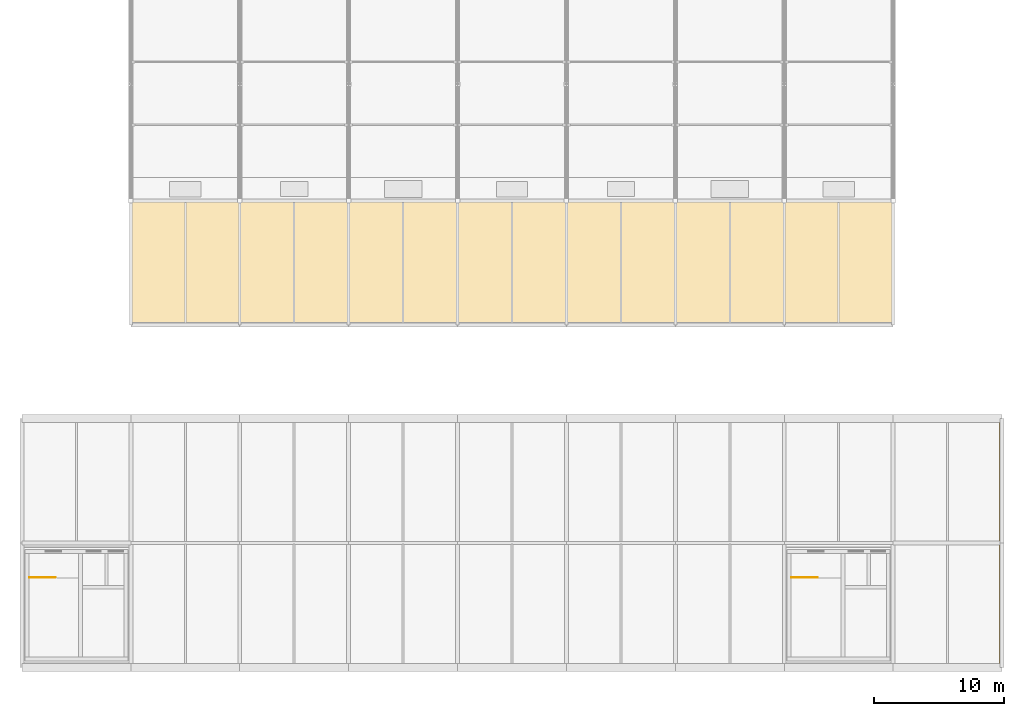
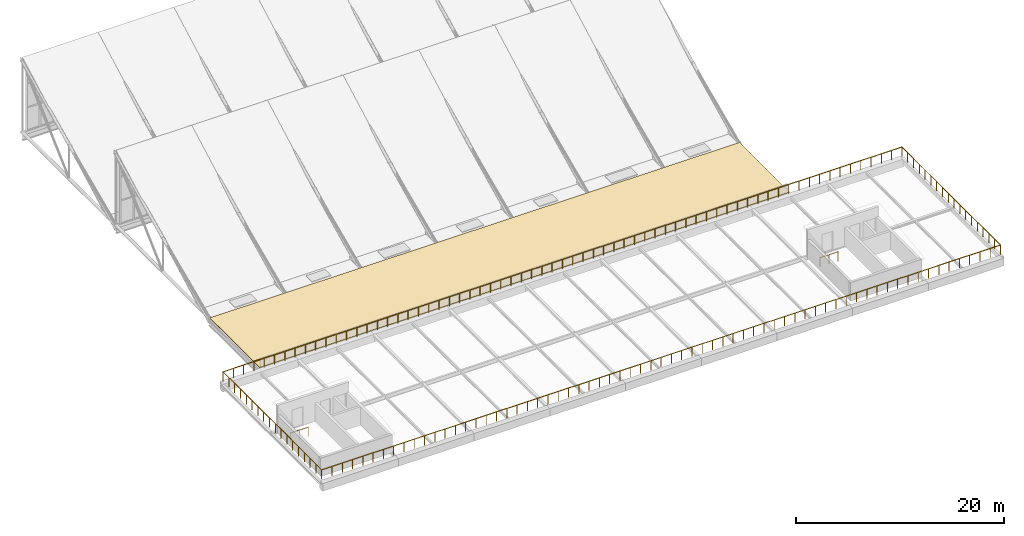
# One storey, part 38 of 38: 3 railings, 1 covering.
"""IFC4 building model written with IfcOpenShell, lengths in metres."""

from ifc_helpers import new_model, si_unit, direction, frame, origin, origin_2d, place, context, subcontext, project, spatial, polyline, circle, outline, extrude, material, layer, layer_set, type_object, element, save


model = new_model("IFC4")

# Units and contexts
model_context = context("Model", 3, precision=1e-05, world=origin(), true_north=direction((0.0, 1.0)))
body_context = subcontext(model_context, "Body", "Model", "MODEL_VIEW")
ifc_project = project(units=[si_unit("LENGTHUNIT", "METRE"), si_unit("AREAUNIT", "SQUARE_METRE"), si_unit("VOLUMEUNIT", "CUBIC_METRE"), si_unit("PLANEANGLEUNIT", "RADIAN"), si_unit("MASSUNIT", "GRAM", prefix="KILO")], contexts=[model_context])

# Site, building, storey
site_placement = place(None, origin())
site = spatial("IfcSite", under=ifc_project, at=site_placement, CompositionType="ELEMENT")
building_placement = place(site_placement, origin())
building = spatial("IfcBuilding", under=site, at=building_placement, Name="Veltarok Museum of Natural Sciences", CompositionType="ELEMENT")
storey_placement = place(building_placement, frame((0.0, 0.0, 31.199951171875)))
storey = spatial("IfcBuildingStorey", under=building, at=storey_placement, Name="RF", CompositionType="ELEMENT", Elevation=31.199951171875)

# Covering
ifc_material_1 = material(Name="EPDM waterproofing membrane")
ifc_layer = layer(ifc_material_1, 0.06005859375)
ifc_layer_set = layer_set([ifc_layer], Name="EPDM waterproofing membrane")
covering_type = type_object("IfcCoveringType", Name="EPDM Waterproofing and Acoustic Roof Membrane 60", PredefinedType="ROOFING", material=ifc_layer_set)
covering_placement = place(storey_placement, frame((0.0, 0.0, -5.800048828125)))
element("IfcCovering", 1, at=covering_placement, inside=storey, type_object=covering_type, Name="Roof Waterproofing RF-V2D", PredefinedType="ROOFING", context=body_context, shape_type="SweptSolid", body=[
    extrude(outline(polyline([(40.0, 26.39990234375), (40.0, 35.97998046875), (98.800048828125, 35.97998046875), (98.800048828125, 26.39990234375), (40.0, 26.39990234375)])), origin(), (0.0, 0.0, 1.0), 0.06005859375),
])

# Railings
ifc_material_2 = material(Name="Steel S355J2", Category="steel")
railing_type_1 = type_object("IfcRailingType", Name="Interior Atrium and Stairwell Guardrail 1100", PredefinedType="GUARDRAIL", material=ifc_material_2)
for number, where, name in (
    (2, (32.169921875, 6.949951171875, 0.0), "Top Stairwell Guard ST-01 RF"),
    (3, (90.969970703125, 6.949951171875, 0.0), "Top Stairwell Guard ST-02 RF"),
):
    element("IfcRailing", number, at=place(storey_placement, frame(where)), inside=storey, type_object=railing_type_1, Name=name, PredefinedType="GUARDRAIL", context=body_context, shape_type="SweptSolid", body=[
        extrude(circle(Radius=0.02392578125, at=origin_2d()), frame((0.0, 0.0, 1.076171875), z_axis=(1.0, 0.0, 0.0), x_axis=(0.0, 1.0, 0.0)), (0.0, 0.0, 1.0), 2.0),
        extrude(circle(Radius=0.02099609375, at=origin_2d()), origin(), (0.0, 0.0, 1.0), 1.052001953125),
        extrude(circle(Radius=0.02099609375, at=origin_2d()), frame((1.0, 0.0, 0.0)), (0.0, 0.0, 1.0), 1.052001953125),
        extrude(circle(Radius=0.02099609375, at=origin_2d()), frame((2.0, 0.0, 0.0)), (0.0, 0.0, 1.0), 1.052001953125),
    ])
railing_type_2 = type_object("IfcRailingType", Name="Outdoor Terrace Steel and Laminated Glass Guardrail 1100", PredefinedType="GUARDRAIL", material=ifc_material_2)
railing_placement = place(storey_placement, frame((31.719970703125, 0.1201171875, 0.0)))
element("IfcRailing", 4, at=railing_placement, inside=storey, type_object=railing_type_2, Name="Terrace Guardrail TER-RF-S1", PredefinedType="GUARDRAIL", context=body_context, shape_type="SweptSolid", body=[
    extrude(circle(Radius=0.02490234375, at=origin_2d()), frame((0.0, 0.0, 1.0751953125), z_axis=(1.0, 0.0, 0.0), x_axis=(0.0, 1.0, 0.0)), (0.0, 0.0, 1.0), 75.3349609375),
    extrude(circle(Radius=0.02490234375, at=origin_2d()), frame((75.3349609375, 0.0, 1.0751953125), z_axis=(0.0, 1.0, 0.0), x_axis=(-1.0, 0.0, 0.0)), (0.0, 0.0, 1.0), 18.9599609375),
    extrude(circle(Radius=0.02490234375, at=origin_2d()), frame((75.3349609375, 18.9599609375, 1.0751953125), z_axis=(-1.0, 0.0, 0.0), x_axis=(0.0, -1.0, 0.0)), (0.0, 0.0, 1.0), 75.3349609375),
    extrude(circle(Radius=0.02490234375, at=origin_2d()), frame((0.0, 18.9599609375, 1.0751953125), z_axis=(0.0, -1.0, 0.0), x_axis=(1.0, 0.0, 0.0)), (0.0, 0.0, 1.0), 18.9599609375),
    extrude(circle(Radius=0.02099609375, at=origin_2d()), origin(), (0.0, 0.0, 1.0), 1.050048828125),
    extrude(circle(Radius=0.02099609375, at=origin_2d()), frame((1.141357421875, 0.0, 0.0)), (0.0, 0.0, 1.0), 1.050048828125),
    extrude(circle(Radius=0.02099609375, at=origin_2d()), frame((2.282958984375, 0.0, 0.0)), (0.0, 0.0, 1.0), 1.050048828125),
    extrude(circle(Radius=0.02099609375, at=origin_2d()), frame((3.42431640625, 0.0, 0.0)), (0.0, 0.0, 1.0), 1.050048828125),
    extrude(circle(Radius=0.02099609375, at=origin_2d()), frame((4.565673828125, 0.0, 0.0)), (0.0, 0.0, 1.0), 1.050048828125),
    extrude(circle(Radius=0.02099609375, at=origin_2d()), frame((5.707275390625, 0.0, 0.0)), (0.0, 0.0, 1.0), 1.050048828125),
    extrude(circle(Radius=0.02099609375, at=origin_2d()), frame((6.8486328125, 0.0, 0.0)), (0.0, 0.0, 1.0), 1.050048828125),
    extrude(circle(Radius=0.02099609375, at=origin_2d()), frame((7.989990234375, 0.0, 0.0)), (0.0, 0.0, 1.0), 1.050048828125),
    extrude(circle(Radius=0.02099609375, at=origin_2d()), frame((9.131591796875, 0.0, 0.0)), (0.0, 0.0, 1.0), 1.050048828125),
    extrude(circle(Radius=0.02099609375, at=origin_2d()), frame((10.27294921875, 0.0, 0.0)), (0.0, 0.0, 1.0), 1.050048828125),
    extrude(circle(Radius=0.02099609375, at=origin_2d()), frame((11.414306640625, 0.0, 0.0)), (0.0, 0.0, 1.0), 1.050048828125),
    extrude(circle(Radius=0.02099609375, at=origin_2d()), frame((12.555908203125, 0.0, 0.0)), (0.0, 0.0, 1.0), 1.050048828125),
    extrude(circle(Radius=0.02099609375, at=origin_2d()), frame((13.697265625, 0.0, 0.0)), (0.0, 0.0, 1.0), 1.050048828125),
    extrude(circle(Radius=0.02099609375, at=origin_2d()), frame((14.838623046875, 0.0, 0.0)), (0.0, 0.0, 1.0), 1.050048828125),
    extrude(circle(Radius=0.02099609375, at=origin_2d()), frame((15.980224609375, 0.0, 0.0)), (0.0, 0.0, 1.0), 1.050048828125),
    extrude(circle(Radius=0.02099609375, at=origin_2d()), frame((17.12158203125, 0.0, 0.0)), (0.0, 0.0, 1.0), 1.050048828125),
    extrude(circle(Radius=0.02099609375, at=origin_2d()), frame((18.262939453125, 0.0, 0.0)), (0.0, 0.0, 1.0), 1.050048828125),
    extrude(circle(Radius=0.02099609375, at=origin_2d()), frame((19.404541015625, 0.0, 0.0)), (0.0, 0.0, 1.0), 1.050048828125),
    extrude(circle(Radius=0.02099609375, at=origin_2d()), frame((20.5458984375, 0.0, 0.0)), (0.0, 0.0, 1.0), 1.050048828125),
    extrude(circle(Radius=0.02099609375, at=origin_2d()), frame((21.687255859375, 0.0, 0.0)), (0.0, 0.0, 1.0), 1.050048828125),
    extrude(circle(Radius=0.02099609375, at=origin_2d()), frame((22.828857421875, 0.0, 0.0)), (0.0, 0.0, 1.0), 1.050048828125),
    extrude(circle(Radius=0.02099609375, at=origin_2d()), frame((23.97021484375, 0.0, 0.0)), (0.0, 0.0, 1.0), 1.050048828125),
    extrude(circle(Radius=0.02099609375, at=origin_2d()), frame((25.111572265625, 0.0, 0.0)), (0.0, 0.0, 1.0), 1.050048828125),
    extrude(circle(Radius=0.02099609375, at=origin_2d()), frame((26.253173828125, 0.0, 0.0)), (0.0, 0.0, 1.0), 1.050048828125),
    extrude(circle(Radius=0.02099609375, at=origin_2d()), frame((27.39453125, 0.0, 0.0)), (0.0, 0.0, 1.0), 1.050048828125),
    extrude(circle(Radius=0.02099609375, at=origin_2d()), frame((28.535888671875, 0.0, 0.0)), (0.0, 0.0, 1.0), 1.050048828125),
    extrude(circle(Radius=0.02099609375, at=origin_2d()), frame((29.677490234375, 0.0, 0.0)), (0.0, 0.0, 1.0), 1.050048828125),
    extrude(circle(Radius=0.02099609375, at=origin_2d()), frame((30.81884765625, 0.0, 0.0)), (0.0, 0.0, 1.0), 1.050048828125),
    extrude(circle(Radius=0.02099609375, at=origin_2d()), frame((31.960205078125, 0.0, 0.0)), (0.0, 0.0, 1.0), 1.050048828125),
    extrude(circle(Radius=0.02099609375, at=origin_2d()), frame((33.101806640625, 0.0, 0.0)), (0.0, 0.0, 1.0), 1.050048828125),
    extrude(circle(Radius=0.02099609375, at=origin_2d()), frame((34.2431640625, 0.0, 0.0)), (0.0, 0.0, 1.0), 1.050048828125),
    extrude(circle(Radius=0.02099609375, at=origin_2d()), frame((35.384521484375, 0.0, 0.0)), (0.0, 0.0, 1.0), 1.050048828125),
    extrude(circle(Radius=0.02099609375, at=origin_2d()), frame((36.526123046875, 0.0, 0.0)), (0.0, 0.0, 1.0), 1.050048828125),
    extrude(circle(Radius=0.02099609375, at=origin_2d()), frame((37.66748046875, 0.0, 0.0)), (0.0, 0.0, 1.0), 1.050048828125),
    extrude(circle(Radius=0.02099609375, at=origin_2d()), frame((38.808837890625, 0.0, 0.0)), (0.0, 0.0, 1.0), 1.050048828125),
    extrude(circle(Radius=0.02099609375, at=origin_2d()), frame((39.950439453125, 0.0, 0.0)), (0.0, 0.0, 1.0), 1.050048828125),
    extrude(circle(Radius=0.02099609375, at=origin_2d()), frame((41.091796875, 0.0, 0.0)), (0.0, 0.0, 1.0), 1.050048828125),
    extrude(circle(Radius=0.02099609375, at=origin_2d()), frame((42.233154296875, 0.0, 0.0)), (0.0, 0.0, 1.0), 1.050048828125),
    extrude(circle(Radius=0.02099609375, at=origin_2d()), frame((43.374755859375, 0.0, 0.0)), (0.0, 0.0, 1.0), 1.050048828125),
    extrude(circle(Radius=0.02099609375, at=origin_2d()), frame((44.51611328125, 0.0, 0.0)), (0.0, 0.0, 1.0), 1.050048828125),
    extrude(circle(Radius=0.02099609375, at=origin_2d()), frame((45.657470703125, 0.0, 0.0)), (0.0, 0.0, 1.0), 1.050048828125),
    extrude(circle(Radius=0.02099609375, at=origin_2d()), frame((46.799072265625, 0.0, 0.0)), (0.0, 0.0, 1.0), 1.050048828125),
    extrude(circle(Radius=0.02099609375, at=origin_2d()), frame((47.9404296875, 0.0, 0.0)), (0.0, 0.0, 1.0), 1.050048828125),
    extrude(circle(Radius=0.02099609375, at=origin_2d()), frame((49.081787109375, 0.0, 0.0)), (0.0, 0.0, 1.0), 1.050048828125),
    extrude(circle(Radius=0.02099609375, at=origin_2d()), frame((50.223388671875, 0.0, 0.0)), (0.0, 0.0, 1.0), 1.050048828125),
    extrude(circle(Radius=0.02099609375, at=origin_2d()), frame((51.36474609375, 0.0, 0.0)), (0.0, 0.0, 1.0), 1.050048828125),
    extrude(circle(Radius=0.02099609375, at=origin_2d()), frame((52.506103515625, 0.0, 0.0)), (0.0, 0.0, 1.0), 1.050048828125),
    extrude(circle(Radius=0.02099609375, at=origin_2d()), frame((53.647705078125, 0.0, 0.0)), (0.0, 0.0, 1.0), 1.050048828125),
    extrude(circle(Radius=0.02099609375, at=origin_2d()), frame((54.7890625, 0.0, 0.0)), (0.0, 0.0, 1.0), 1.050048828125),
    extrude(circle(Radius=0.02099609375, at=origin_2d()), frame((55.930419921875, 0.0, 0.0)), (0.0, 0.0, 1.0), 1.050048828125),
    extrude(circle(Radius=0.02099609375, at=origin_2d()), frame((57.072021484375, 0.0, 0.0)), (0.0, 0.0, 1.0), 1.050048828125),
    extrude(circle(Radius=0.02099609375, at=origin_2d()), frame((58.21337890625, 0.0, 0.0)), (0.0, 0.0, 1.0), 1.050048828125),
    extrude(circle(Radius=0.02099609375, at=origin_2d()), frame((59.354736328125, 0.0, 0.0)), (0.0, 0.0, 1.0), 1.050048828125),
    extrude(circle(Radius=0.02099609375, at=origin_2d()), frame((60.496337890625, 0.0, 0.0)), (0.0, 0.0, 1.0), 1.050048828125),
    extrude(circle(Radius=0.02099609375, at=origin_2d()), frame((61.6376953125, 0.0, 0.0)), (0.0, 0.0, 1.0), 1.050048828125),
    extrude(circle(Radius=0.02099609375, at=origin_2d()), frame((62.779052734375, 0.0, 0.0)), (0.0, 0.0, 1.0), 1.050048828125),
    extrude(circle(Radius=0.02099609375, at=origin_2d()), frame((63.920654296875, 0.0, 0.0)), (0.0, 0.0, 1.0), 1.050048828125),
    extrude(circle(Radius=0.02099609375, at=origin_2d()), frame((65.06201171875, 0.0, 0.0)), (0.0, 0.0, 1.0), 1.050048828125),
    extrude(circle(Radius=0.02099609375, at=origin_2d()), frame((66.203369140625, 0.0, 0.0)), (0.0, 0.0, 1.0), 1.050048828125),
    extrude(circle(Radius=0.02099609375, at=origin_2d()), frame((67.344970703125, 0.0, 0.0)), (0.0, 0.0, 1.0), 1.050048828125),
    extrude(circle(Radius=0.02099609375, at=origin_2d()), frame((68.486328125, 0.0, 0.0)), (0.0, 0.0, 1.0), 1.050048828125),
    extrude(circle(Radius=0.02099609375, at=origin_2d()), frame((69.627685546875, 0.0, 0.0)), (0.0, 0.0, 1.0), 1.050048828125),
    extrude(circle(Radius=0.02099609375, at=origin_2d()), frame((70.769287109375, 0.0, 0.0)), (0.0, 0.0, 1.0), 1.050048828125),
    extrude(circle(Radius=0.02099609375, at=origin_2d()), frame((71.91064453125, 0.0, 0.0)), (0.0, 0.0, 1.0), 1.050048828125),
    extrude(circle(Radius=0.02099609375, at=origin_2d()), frame((73.052001953125, 0.0, 0.0)), (0.0, 0.0, 1.0), 1.050048828125),
    extrude(circle(Radius=0.02099609375, at=origin_2d()), frame((74.193603515625, 0.0, 0.0)), (0.0, 0.0, 1.0), 1.050048828125),
    extrude(circle(Radius=0.02099609375, at=origin_2d()), frame((75.3349609375, 0.0, 0.0)), (0.0, 0.0, 1.0), 1.050048828125),
    extrude(circle(Radius=0.02099609375, at=origin_2d()), frame((75.3349609375, 1.115234375, 0.0)), (0.0, 0.0, 1.0), 1.050048828125),
    extrude(circle(Radius=0.02099609375, at=origin_2d()), frame((75.3349609375, 2.23046875, 0.0)), (0.0, 0.0, 1.0), 1.050048828125),
    extrude(circle(Radius=0.02099609375, at=origin_2d()), frame((75.3349609375, 3.345947265625, 0.0)), (0.0, 0.0, 1.0), 1.050048828125),
    extrude(circle(Radius=0.02099609375, at=origin_2d()), frame((75.3349609375, 4.461181640625, 0.0)), (0.0, 0.0, 1.0), 1.050048828125),
    extrude(circle(Radius=0.02099609375, at=origin_2d()), frame((75.3349609375, 5.576416015625, 0.0)), (0.0, 0.0, 1.0), 1.050048828125),
    extrude(circle(Radius=0.02099609375, at=origin_2d()), frame((75.3349609375, 6.691650390625, 0.0)), (0.0, 0.0, 1.0), 1.050048828125),
    extrude(circle(Radius=0.02099609375, at=origin_2d()), frame((75.3349609375, 7.80712890625, 0.0)), (0.0, 0.0, 1.0), 1.050048828125),
    extrude(circle(Radius=0.02099609375, at=origin_2d()), frame((75.3349609375, 8.92236328125, 0.0)), (0.0, 0.0, 1.0), 1.050048828125),
    extrude(circle(Radius=0.02099609375, at=origin_2d()), frame((75.3349609375, 10.03759765625, 0.0)), (0.0, 0.0, 1.0), 1.050048828125),
    extrude(circle(Radius=0.02099609375, at=origin_2d()), frame((75.3349609375, 11.15283203125, 0.0)), (0.0, 0.0, 1.0), 1.050048828125),
    extrude(circle(Radius=0.02099609375, at=origin_2d()), frame((75.3349609375, 12.268310546875, 0.0)), (0.0, 0.0, 1.0), 1.050048828125),
    extrude(circle(Radius=0.02099609375, at=origin_2d()), frame((75.3349609375, 13.383544921875, 0.0)), (0.0, 0.0, 1.0), 1.050048828125),
    extrude(circle(Radius=0.02099609375, at=origin_2d()), frame((75.3349609375, 14.498779296875, 0.0)), (0.0, 0.0, 1.0), 1.050048828125),
    extrude(circle(Radius=0.02099609375, at=origin_2d()), frame((75.3349609375, 15.614013671875, 0.0)), (0.0, 0.0, 1.0), 1.050048828125),
    extrude(circle(Radius=0.02099609375, at=origin_2d()), frame((75.3349609375, 16.7294921875, 0.0)), (0.0, 0.0, 1.0), 1.050048828125),
    extrude(circle(Radius=0.02099609375, at=origin_2d()), frame((75.3349609375, 17.8447265625, 0.0)), (0.0, 0.0, 1.0), 1.050048828125),
    extrude(circle(Radius=0.02099609375, at=origin_2d()), frame((75.3349609375, 18.9599609375, 0.0)), (0.0, 0.0, 1.0), 1.050048828125),
    extrude(circle(Radius=0.02099609375, at=origin_2d()), frame((74.193603515625, 18.9599609375, 0.0)), (0.0, 0.0, 1.0), 1.050048828125),
    extrude(circle(Radius=0.02099609375, at=origin_2d()), frame((73.052001953125, 18.9599609375, 0.0)), (0.0, 0.0, 1.0), 1.050048828125),
    extrude(circle(Radius=0.02099609375, at=origin_2d()), frame((71.91064453125, 18.9599609375, 0.0)), (0.0, 0.0, 1.0), 1.050048828125),
    extrude(circle(Radius=0.02099609375, at=origin_2d()), frame((70.769287109375, 18.9599609375, 0.0)), (0.0, 0.0, 1.0), 1.050048828125),
    extrude(circle(Radius=0.02099609375, at=origin_2d()), frame((69.627685546875, 18.9599609375, 0.0)), (0.0, 0.0, 1.0), 1.050048828125),
    extrude(circle(Radius=0.02099609375, at=origin_2d()), frame((68.486328125, 18.9599609375, 0.0)), (0.0, 0.0, 1.0), 1.050048828125),
    extrude(circle(Radius=0.02099609375, at=origin_2d()), frame((67.344970703125, 18.9599609375, 0.0)), (0.0, 0.0, 1.0), 1.050048828125),
    extrude(circle(Radius=0.02099609375, at=origin_2d()), frame((66.203369140625, 18.9599609375, 0.0)), (0.0, 0.0, 1.0), 1.050048828125),
    extrude(circle(Radius=0.02099609375, at=origin_2d()), frame((65.06201171875, 18.9599609375, 0.0)), (0.0, 0.0, 1.0), 1.050048828125),
    extrude(circle(Radius=0.02099609375, at=origin_2d()), frame((63.920654296875, 18.9599609375, 0.0)), (0.0, 0.0, 1.0), 1.050048828125),
    extrude(circle(Radius=0.02099609375, at=origin_2d()), frame((62.779052734375, 18.9599609375, 0.0)), (0.0, 0.0, 1.0), 1.050048828125),
    extrude(circle(Radius=0.02099609375, at=origin_2d()), frame((61.6376953125, 18.9599609375, 0.0)), (0.0, 0.0, 1.0), 1.050048828125),
    extrude(circle(Radius=0.02099609375, at=origin_2d()), frame((60.496337890625, 18.9599609375, 0.0)), (0.0, 0.0, 1.0), 1.050048828125),
    extrude(circle(Radius=0.02099609375, at=origin_2d()), frame((59.354736328125, 18.9599609375, 0.0)), (0.0, 0.0, 1.0), 1.050048828125),
    extrude(circle(Radius=0.02099609375, at=origin_2d()), frame((58.21337890625, 18.9599609375, 0.0)), (0.0, 0.0, 1.0), 1.050048828125),
    extrude(circle(Radius=0.02099609375, at=origin_2d()), frame((57.072021484375, 18.9599609375, 0.0)), (0.0, 0.0, 1.0), 1.050048828125),
    extrude(circle(Radius=0.02099609375, at=origin_2d()), frame((55.930419921875, 18.9599609375, 0.0)), (0.0, 0.0, 1.0), 1.050048828125),
    extrude(circle(Radius=0.02099609375, at=origin_2d()), frame((54.7890625, 18.9599609375, 0.0)), (0.0, 0.0, 1.0), 1.050048828125),
    extrude(circle(Radius=0.02099609375, at=origin_2d()), frame((53.647705078125, 18.9599609375, 0.0)), (0.0, 0.0, 1.0), 1.050048828125),
    extrude(circle(Radius=0.02099609375, at=origin_2d()), frame((52.506103515625, 18.9599609375, 0.0)), (0.0, 0.0, 1.0), 1.050048828125),
    extrude(circle(Radius=0.02099609375, at=origin_2d()), frame((51.36474609375, 18.9599609375, 0.0)), (0.0, 0.0, 1.0), 1.050048828125),
    extrude(circle(Radius=0.02099609375, at=origin_2d()), frame((50.223388671875, 18.9599609375, 0.0)), (0.0, 0.0, 1.0), 1.050048828125),
    extrude(circle(Radius=0.02099609375, at=origin_2d()), frame((49.081787109375, 18.9599609375, 0.0)), (0.0, 0.0, 1.0), 1.050048828125),
    extrude(circle(Radius=0.02099609375, at=origin_2d()), frame((47.9404296875, 18.9599609375, 0.0)), (0.0, 0.0, 1.0), 1.050048828125),
    extrude(circle(Radius=0.02099609375, at=origin_2d()), frame((46.799072265625, 18.9599609375, 0.0)), (0.0, 0.0, 1.0), 1.050048828125),
    extrude(circle(Radius=0.02099609375, at=origin_2d()), frame((45.657470703125, 18.9599609375, 0.0)), (0.0, 0.0, 1.0), 1.050048828125),
    extrude(circle(Radius=0.02099609375, at=origin_2d()), frame((44.51611328125, 18.9599609375, 0.0)), (0.0, 0.0, 1.0), 1.050048828125),
    extrude(circle(Radius=0.02099609375, at=origin_2d()), frame((43.374755859375, 18.9599609375, 0.0)), (0.0, 0.0, 1.0), 1.050048828125),
    extrude(circle(Radius=0.02099609375, at=origin_2d()), frame((42.233154296875, 18.9599609375, 0.0)), (0.0, 0.0, 1.0), 1.050048828125),
    extrude(circle(Radius=0.02099609375, at=origin_2d()), frame((41.091796875, 18.9599609375, 0.0)), (0.0, 0.0, 1.0), 1.050048828125),
    extrude(circle(Radius=0.02099609375, at=origin_2d()), frame((39.950439453125, 18.9599609375, 0.0)), (0.0, 0.0, 1.0), 1.050048828125),
    extrude(circle(Radius=0.02099609375, at=origin_2d()), frame((38.808837890625, 18.9599609375, 0.0)), (0.0, 0.0, 1.0), 1.050048828125),
    extrude(circle(Radius=0.02099609375, at=origin_2d()), frame((37.66748046875, 18.9599609375, 0.0)), (0.0, 0.0, 1.0), 1.050048828125),
    extrude(circle(Radius=0.02099609375, at=origin_2d()), frame((36.526123046875, 18.9599609375, 0.0)), (0.0, 0.0, 1.0), 1.050048828125),
    extrude(circle(Radius=0.02099609375, at=origin_2d()), frame((35.384521484375, 18.9599609375, 0.0)), (0.0, 0.0, 1.0), 1.050048828125),
    extrude(circle(Radius=0.02099609375, at=origin_2d()), frame((34.2431640625, 18.9599609375, 0.0)), (0.0, 0.0, 1.0), 1.050048828125),
    extrude(circle(Radius=0.02099609375, at=origin_2d()), frame((33.101806640625, 18.9599609375, 0.0)), (0.0, 0.0, 1.0), 1.050048828125),
    extrude(circle(Radius=0.02099609375, at=origin_2d()), frame((31.960205078125, 18.9599609375, 0.0)), (0.0, 0.0, 1.0), 1.050048828125),
    extrude(circle(Radius=0.02099609375, at=origin_2d()), frame((30.81884765625, 18.9599609375, 0.0)), (0.0, 0.0, 1.0), 1.050048828125),
    extrude(circle(Radius=0.02099609375, at=origin_2d()), frame((29.677490234375, 18.9599609375, 0.0)), (0.0, 0.0, 1.0), 1.050048828125),
    extrude(circle(Radius=0.02099609375, at=origin_2d()), frame((28.535888671875, 18.9599609375, 0.0)), (0.0, 0.0, 1.0), 1.050048828125),
    extrude(circle(Radius=0.02099609375, at=origin_2d()), frame((27.39453125, 18.9599609375, 0.0)), (0.0, 0.0, 1.0), 1.050048828125),
    extrude(circle(Radius=0.02099609375, at=origin_2d()), frame((26.253173828125, 18.9599609375, 0.0)), (0.0, 0.0, 1.0), 1.050048828125),
    extrude(circle(Radius=0.02099609375, at=origin_2d()), frame((25.111572265625, 18.9599609375, 0.0)), (0.0, 0.0, 1.0), 1.050048828125),
    extrude(circle(Radius=0.02099609375, at=origin_2d()), frame((23.97021484375, 18.9599609375, 0.0)), (0.0, 0.0, 1.0), 1.050048828125),
    extrude(circle(Radius=0.02099609375, at=origin_2d()), frame((22.828857421875, 18.9599609375, 0.0)), (0.0, 0.0, 1.0), 1.050048828125),
    extrude(circle(Radius=0.02099609375, at=origin_2d()), frame((21.687255859375, 18.9599609375, 0.0)), (0.0, 0.0, 1.0), 1.050048828125),
    extrude(circle(Radius=0.02099609375, at=origin_2d()), frame((20.5458984375, 18.9599609375, 0.0)), (0.0, 0.0, 1.0), 1.050048828125),
    extrude(circle(Radius=0.02099609375, at=origin_2d()), frame((19.404541015625, 18.9599609375, 0.0)), (0.0, 0.0, 1.0), 1.050048828125),
    extrude(circle(Radius=0.02099609375, at=origin_2d()), frame((18.262939453125, 18.9599609375, 0.0)), (0.0, 0.0, 1.0), 1.050048828125),
    extrude(circle(Radius=0.02099609375, at=origin_2d()), frame((17.12158203125, 18.9599609375, 0.0)), (0.0, 0.0, 1.0), 1.050048828125),
    extrude(circle(Radius=0.02099609375, at=origin_2d()), frame((15.980224609375, 18.9599609375, 0.0)), (0.0, 0.0, 1.0), 1.050048828125),
    extrude(circle(Radius=0.02099609375, at=origin_2d()), frame((14.838623046875, 18.9599609375, 0.0)), (0.0, 0.0, 1.0), 1.050048828125),
    extrude(circle(Radius=0.02099609375, at=origin_2d()), frame((13.697265625, 18.9599609375, 0.0)), (0.0, 0.0, 1.0), 1.050048828125),
    extrude(circle(Radius=0.02099609375, at=origin_2d()), frame((12.555908203125, 18.9599609375, 0.0)), (0.0, 0.0, 1.0), 1.050048828125),
    extrude(circle(Radius=0.02099609375, at=origin_2d()), frame((11.414306640625, 18.9599609375, 0.0)), (0.0, 0.0, 1.0), 1.050048828125),
    extrude(circle(Radius=0.02099609375, at=origin_2d()), frame((10.27294921875, 18.9599609375, 0.0)), (0.0, 0.0, 1.0), 1.050048828125),
    extrude(circle(Radius=0.02099609375, at=origin_2d()), frame((9.131591796875, 18.9599609375, 0.0)), (0.0, 0.0, 1.0), 1.050048828125),
    extrude(circle(Radius=0.02099609375, at=origin_2d()), frame((7.989990234375, 18.9599609375, 0.0)), (0.0, 0.0, 1.0), 1.050048828125),
    extrude(circle(Radius=0.02099609375, at=origin_2d()), frame((6.8486328125, 18.9599609375, 0.0)), (0.0, 0.0, 1.0), 1.050048828125),
    extrude(circle(Radius=0.02099609375, at=origin_2d()), frame((5.707275390625, 18.9599609375, 0.0)), (0.0, 0.0, 1.0), 1.050048828125),
    extrude(circle(Radius=0.02099609375, at=origin_2d()), frame((4.565673828125, 18.9599609375, 0.0)), (0.0, 0.0, 1.0), 1.050048828125),
    extrude(circle(Radius=0.02099609375, at=origin_2d()), frame((3.42431640625, 18.9599609375, 0.0)), (0.0, 0.0, 1.0), 1.050048828125),
    extrude(circle(Radius=0.02099609375, at=origin_2d()), frame((2.282958984375, 18.9599609375, 0.0)), (0.0, 0.0, 1.0), 1.050048828125),
    extrude(circle(Radius=0.02099609375, at=origin_2d()), frame((1.141357421875, 18.9599609375, 0.0)), (0.0, 0.0, 1.0), 1.050048828125),
    extrude(circle(Radius=0.02099609375, at=origin_2d()), frame((0.0, 18.9599609375, 0.0)), (0.0, 0.0, 1.0), 1.050048828125),
    extrude(circle(Radius=0.02099609375, at=origin_2d()), frame((0.0, 17.8447265625, 0.0)), (0.0, 0.0, 1.0), 1.050048828125),
    extrude(circle(Radius=0.02099609375, at=origin_2d()), frame((0.0, 16.7294921875, 0.0)), (0.0, 0.0, 1.0), 1.050048828125),
    extrude(circle(Radius=0.02099609375, at=origin_2d()), frame((0.0, 15.614013671875, 0.0)), (0.0, 0.0, 1.0), 1.050048828125),
    extrude(circle(Radius=0.02099609375, at=origin_2d()), frame((0.0, 14.498779296875, 0.0)), (0.0, 0.0, 1.0), 1.050048828125),
    extrude(circle(Radius=0.02099609375, at=origin_2d()), frame((0.0, 13.383544921875, 0.0)), (0.0, 0.0, 1.0), 1.050048828125),
    extrude(circle(Radius=0.02099609375, at=origin_2d()), frame((0.0, 12.268310546875, 0.0)), (0.0, 0.0, 1.0), 1.050048828125),
    extrude(circle(Radius=0.02099609375, at=origin_2d()), frame((0.0, 11.15283203125, 0.0)), (0.0, 0.0, 1.0), 1.050048828125),
    extrude(circle(Radius=0.02099609375, at=origin_2d()), frame((0.0, 10.03759765625, 0.0)), (0.0, 0.0, 1.0), 1.050048828125),
    extrude(circle(Radius=0.02099609375, at=origin_2d()), frame((0.0, 8.92236328125, 0.0)), (0.0, 0.0, 1.0), 1.050048828125),
    extrude(circle(Radius=0.02099609375, at=origin_2d()), frame((0.0, 7.80712890625, 0.0)), (0.0, 0.0, 1.0), 1.050048828125),
    extrude(circle(Radius=0.02099609375, at=origin_2d()), frame((0.0, 6.691650390625, 0.0)), (0.0, 0.0, 1.0), 1.050048828125),
    extrude(circle(Radius=0.02099609375, at=origin_2d()), frame((0.0, 5.576416015625, 0.0)), (0.0, 0.0, 1.0), 1.050048828125),
    extrude(circle(Radius=0.02099609375, at=origin_2d()), frame((0.0, 4.461181640625, 0.0)), (0.0, 0.0, 1.0), 1.050048828125),
    extrude(circle(Radius=0.02099609375, at=origin_2d()), frame((0.0, 3.345947265625, 0.0)), (0.0, 0.0, 1.0), 1.050048828125),
    extrude(circle(Radius=0.02099609375, at=origin_2d()), frame((0.0, 2.23046875, 0.0)), (0.0, 0.0, 1.0), 1.050048828125),
    extrude(circle(Radius=0.02099609375, at=origin_2d()), frame((0.0, 1.115234375, 0.0)), (0.0, 0.0, 1.0), 1.050048828125),
])

save(model, "model.ifc")
